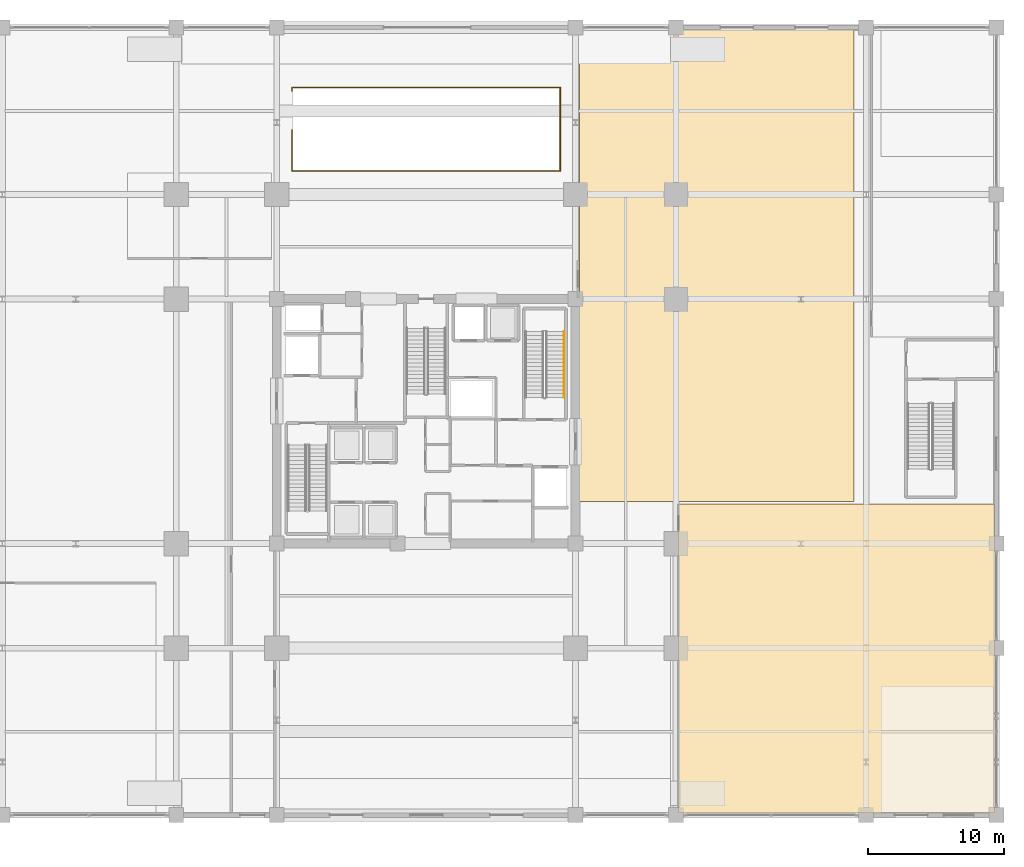
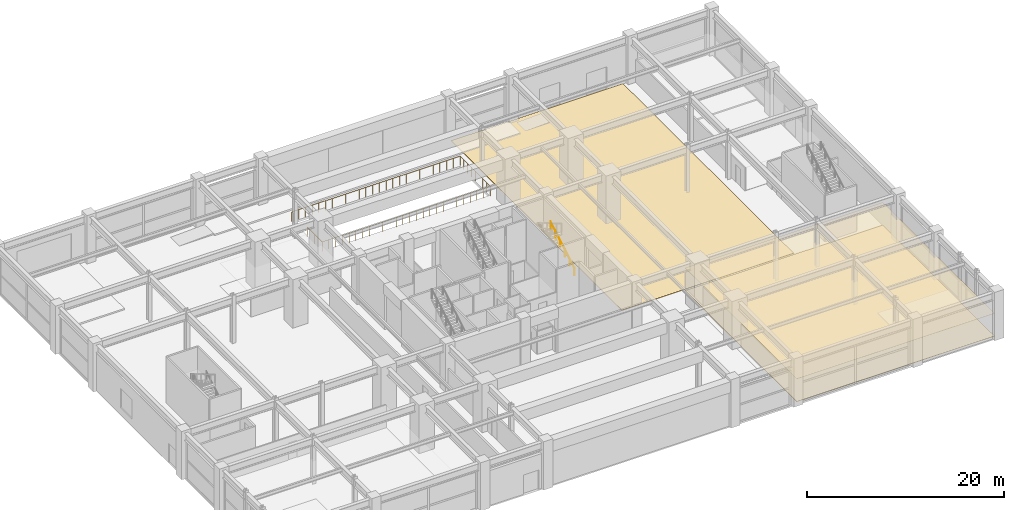
# One storey, part 39 of 41: 3 coverings, 2 railings.
"""IFC4 building model written with IfcOpenShell, lengths in metres."""

from ifc_helpers import new_model, si_unit, direction, frame, origin, origin_2d, place, context, subcontext, project, spatial, polyline, circle, outline, extrude, material, layer, layer_set, type_object, element, save


model = new_model("IFC4")

# Units and contexts
model_context = context("Model", 3, precision=1e-05, world=origin(), true_north=direction((0.0, 1.0)))
body_context = subcontext(model_context, "Body", "Model", "MODEL_VIEW")
ifc_project = project(units=[si_unit("LENGTHUNIT", "METRE"), si_unit("AREAUNIT", "SQUARE_METRE"), si_unit("VOLUMEUNIT", "CUBIC_METRE"), si_unit("PLANEANGLEUNIT", "RADIAN"), si_unit("MASSUNIT", "GRAM", prefix="KILO")], contexts=[model_context])

# Site, building, storey
site_placement = place(None, origin())
site = spatial("IfcSite", under=ifc_project, at=site_placement, CompositionType="ELEMENT")
building_placement = place(site_placement, origin())
building = spatial("IfcBuilding", under=site, at=building_placement, Name="Kovane Verandah Tower", CompositionType="ELEMENT")
storey_placement = place(building_placement, origin())
storey = spatial("IfcBuildingStorey", under=building, at=storey_placement, Name="L00", CompositionType="ELEMENT", Elevation=0.0)

# Coverings
ifc_material_1 = material(Name="Perforated Acoustic Mineral-Fibre Ceiling Tile", Category="gypsum")
ifc_layer_1 = layer(ifc_material_1, 0.02490234375)
ifc_layer_set_1 = layer_set([ifc_layer_1], Name="Perforated Acoustic Mineral-Fibre Ceiling Tile")
covering_type_1 = type_object("IfcCoveringType", Name="CV-CEIL-25", PredefinedType="CEILING", material=ifc_layer_set_1)
covering_1_placement = place(storey_placement, frame((0.0, 0.0, 2.824951171875)))
element("IfcCovering", 1, at=covering_1_placement, inside=storey, type_object=covering_type_1, Name="L00 East Garden Harbour Cafe Acoustic Ceiling", PredefinedType="CEILING", context=body_context, shape_type="SweptSolid", body=[
    extrude(outline(polyline([(58.60009765625, -1.35009765625), (81.85009765625, -1.35009765625), (81.85009765625, 21.39990234375), (58.60009765625, 21.39990234375), (58.60009765625, -1.35009765625)])), origin(), (0.0, 0.0, 1.0), 0.025146484375),
])
ifc_material_2 = material(Name="Polished Terrazzo and Raised-Access Carpet Tile Finish", Category="concrete")
ifc_layer_2 = layer(ifc_material_2, 0.030029296875)
ifc_layer_set_2 = layer_set([ifc_layer_2], Name="Polished Terrazzo and Raised-Access Carpet Tile Finish")
covering_type_2 = type_object("IfcCoveringType", Name="CV-FLOR-30", PredefinedType="FLOORING", material=ifc_layer_set_2)
covering_2_placement = place(storey_placement, origin())
element("IfcCovering", 2, at=covering_2_placement, inside=storey, type_object=covering_type_2, Name="L00 Harbourfront North Concourse Floor Finish", PredefinedType="FLOORING", context=body_context, shape_type="SweptSolid", body=[
    extrude(outline(polyline([(51.280029296875, 21.60009765625), (71.5, 21.60009765625), (71.5, 56.35009765625), (51.280029296875, 56.35009765625), (51.280029296875, 21.60009765625)])), origin(), (0.0, 0.0, 1.0), 0.030029296875),
])
covering_3_placement = place(storey_placement, origin())
element("IfcCovering", 3, at=covering_3_placement, inside=storey, type_object=covering_type_2, Name="L00 East Garden Harbour Cafe Floor Finish", PredefinedType="FLOORING", context=body_context, shape_type="SweptSolid", body=[
    extrude(outline(polyline([(58.60009765625, -1.35009765625), (81.85009765625, -1.35009765625), (81.85009765625, 21.39990234375), (58.60009765625, 21.39990234375), (58.60009765625, -1.35009765625)])), origin(), (0.0, 0.0, 1.0), 0.030029296875),
])

# Railings
ifc_material_3 = material(Name="Pale-Champagne Stainless Steel and Glass Perimeter Guard", Category="steel")
railing_type_1 = type_object("IfcRailingType", Name="RL-GDN-1200", PredefinedType="GUARDRAIL", material=ifc_material_3)
railing_1_placement = place(storey_placement, frame((30.1201171875, 48.9599609375, 0.0)))
element("IfcRailing", 4, at=railing_1_placement, inside=storey, type_object=railing_type_1, Name="L00 Vehicle Ramp Slab Opening Perimeter Guard", PredefinedType="GUARDRAIL", context=body_context, shape_type="SweptSolid", body=[
    extrude(circle(Radius=0.02392578125, at=origin_2d()), frame((0.0, 0.0, 1.17578125), z_axis=(0.0, -1.0, 0.0), x_axis=(1.0, 0.0, 0.0)), (0.0, 0.0, 1.0), 3.0400390625),
    extrude(circle(Radius=0.02392578125, at=origin_2d()), frame((0.0, -3.0400390625, 1.17578125), z_axis=(1.0, 0.0, 0.0), x_axis=(0.0, 1.0, 0.0)), (0.0, 0.0, 1.0), 19.759765625),
    extrude(circle(Radius=0.02392578125, at=origin_2d()), frame((19.759765625, -3.0400390625, 1.17578125), z_axis=(0.0, 1.0, 0.0), x_axis=(-1.0, 0.0, 0.0)), (0.0, 0.0, 1.0), 6.16015625),
    extrude(circle(Radius=0.02392578125, at=origin_2d()), frame((19.759765625, 3.1201171875, 1.17578125), z_axis=(-1.0, 0.0, 0.0), x_axis=(0.0, -1.0, 0.0)), (0.0, 0.0, 1.0), 19.759765625),
    extrude(circle(Radius=0.02392578125, at=origin_2d()), frame((0.0, 3.1201171875, 1.17578125), z_axis=(0.0, -1.0, 0.0), x_axis=(1.0, 0.0, 0.0)), (0.0, 0.0, 1.0), 0.260009765625),
    extrude(circle(Radius=0.02099609375, at=origin_2d()), origin(), (0.0, 0.0, 1.0), 1.15185546875),
    extrude(circle(Radius=0.02099609375, at=origin_2d()), frame((0.0, -0.760009765625, 0.0)), (0.0, 0.0, 1.0), 1.15185546875),
    extrude(circle(Radius=0.02099609375, at=origin_2d()), frame((0.0, -1.52001953125, 0.0)), (0.0, 0.0, 1.0), 1.15185546875),
    extrude(circle(Radius=0.02099609375, at=origin_2d()), frame((0.0, -2.280029296875, 0.0)), (0.0, 0.0, 1.0), 1.15185546875),
    extrude(circle(Radius=0.02099609375, at=origin_2d()), frame((0.0, -3.0400390625, 0.0)), (0.0, 0.0, 1.0), 1.15185546875),
    extrude(circle(Radius=0.02099609375, at=origin_2d()), frame((0.790283203125, -3.0400390625, 0.0)), (0.0, 0.0, 1.0), 1.15185546875),
    extrude(circle(Radius=0.02099609375, at=origin_2d()), frame((1.580810546875, -3.0400390625, 0.0)), (0.0, 0.0, 1.0), 1.15185546875),
    extrude(circle(Radius=0.02099609375, at=origin_2d()), frame((2.37109375, -3.0400390625, 0.0)), (0.0, 0.0, 1.0), 1.15185546875),
    extrude(circle(Radius=0.02099609375, at=origin_2d()), frame((3.16162109375, -3.0400390625, 0.0)), (0.0, 0.0, 1.0), 1.15185546875),
    extrude(circle(Radius=0.02099609375, at=origin_2d()), frame((3.951904296875, -3.0400390625, 0.0)), (0.0, 0.0, 1.0), 1.15185546875),
    extrude(circle(Radius=0.02099609375, at=origin_2d()), frame((4.742431640625, -3.0400390625, 0.0)), (0.0, 0.0, 1.0), 1.15185546875),
    extrude(circle(Radius=0.02099609375, at=origin_2d()), frame((5.53271484375, -3.0400390625, 0.0)), (0.0, 0.0, 1.0), 1.15185546875),
    extrude(circle(Radius=0.02099609375, at=origin_2d()), frame((6.3232421875, -3.0400390625, 0.0)), (0.0, 0.0, 1.0), 1.15185546875),
    extrude(circle(Radius=0.02099609375, at=origin_2d()), frame((7.113525390625, -3.0400390625, 0.0)), (0.0, 0.0, 1.0), 1.15185546875),
    extrude(circle(Radius=0.02099609375, at=origin_2d()), frame((7.90380859375, -3.0400390625, 0.0)), (0.0, 0.0, 1.0), 1.15185546875),
    extrude(circle(Radius=0.02099609375, at=origin_2d()), frame((8.6943359375, -3.0400390625, 0.0)), (0.0, 0.0, 1.0), 1.15185546875),
    extrude(circle(Radius=0.02099609375, at=origin_2d()), frame((9.484619140625, -3.0400390625, 0.0)), (0.0, 0.0, 1.0), 1.15185546875),
    extrude(circle(Radius=0.02099609375, at=origin_2d()), frame((10.275146484375, -3.0400390625, 0.0)), (0.0, 0.0, 1.0), 1.15185546875),
    extrude(circle(Radius=0.02099609375, at=origin_2d()), frame((11.0654296875, -3.0400390625, 0.0)), (0.0, 0.0, 1.0), 1.15185546875),
    extrude(circle(Radius=0.02099609375, at=origin_2d()), frame((11.85595703125, -3.0400390625, 0.0)), (0.0, 0.0, 1.0), 1.15185546875),
    extrude(circle(Radius=0.02099609375, at=origin_2d()), frame((12.646240234375, -3.0400390625, 0.0)), (0.0, 0.0, 1.0), 1.15185546875),
    extrude(circle(Radius=0.02099609375, at=origin_2d()), frame((13.4365234375, -3.0400390625, 0.0)), (0.0, 0.0, 1.0), 1.15185546875),
    extrude(circle(Radius=0.02099609375, at=origin_2d()), frame((14.22705078125, -3.0400390625, 0.0)), (0.0, 0.0, 1.0), 1.15185546875),
    extrude(circle(Radius=0.02099609375, at=origin_2d()), frame((15.017333984375, -3.0400390625, 0.0)), (0.0, 0.0, 1.0), 1.15185546875),
    extrude(circle(Radius=0.02099609375, at=origin_2d()), frame((15.807861328125, -3.0400390625, 0.0)), (0.0, 0.0, 1.0), 1.15185546875),
    extrude(circle(Radius=0.02099609375, at=origin_2d()), frame((16.59814453125, -3.0400390625, 0.0)), (0.0, 0.0, 1.0), 1.15185546875),
    extrude(circle(Radius=0.02099609375, at=origin_2d()), frame((17.388671875, -3.0400390625, 0.0)), (0.0, 0.0, 1.0), 1.15185546875),
    extrude(circle(Radius=0.02099609375, at=origin_2d()), frame((18.178955078125, -3.0400390625, 0.0)), (0.0, 0.0, 1.0), 1.15185546875),
    extrude(circle(Radius=0.02099609375, at=origin_2d()), frame((18.969482421875, -3.0400390625, 0.0)), (0.0, 0.0, 1.0), 1.15185546875),
    extrude(circle(Radius=0.02099609375, at=origin_2d()), frame((19.759765625, -3.0400390625, 0.0)), (0.0, 0.0, 1.0), 1.15185546875),
    extrude(circle(Radius=0.02099609375, at=origin_2d()), frame((19.759765625, -2.27001953125, 0.0)), (0.0, 0.0, 1.0), 1.15185546875),
    extrude(circle(Radius=0.02099609375, at=origin_2d()), frame((19.759765625, -1.5, 0.0)), (0.0, 0.0, 1.0), 1.15185546875),
    extrude(circle(Radius=0.02099609375, at=origin_2d()), frame((19.759765625, -0.72998046875, 0.0)), (0.0, 0.0, 1.0), 1.15185546875),
    extrude(circle(Radius=0.02099609375, at=origin_2d()), frame((19.759765625, 0.0400390625, 0.0)), (0.0, 0.0, 1.0), 1.15185546875),
    extrude(circle(Radius=0.02099609375, at=origin_2d()), frame((19.759765625, 0.81005859375, 0.0)), (0.0, 0.0, 1.0), 1.15185546875),
    extrude(circle(Radius=0.02099609375, at=origin_2d()), frame((19.759765625, 1.580078125, 0.0)), (0.0, 0.0, 1.0), 1.15185546875),
    extrude(circle(Radius=0.02099609375, at=origin_2d()), frame((19.759765625, 2.35009765625, 0.0)), (0.0, 0.0, 1.0), 1.15185546875),
    extrude(circle(Radius=0.02099609375, at=origin_2d()), frame((19.759765625, 3.1201171875, 0.0)), (0.0, 0.0, 1.0), 1.15185546875),
    extrude(circle(Radius=0.02099609375, at=origin_2d()), frame((18.969482421875, 3.1201171875, 0.0)), (0.0, 0.0, 1.0), 1.15185546875),
    extrude(circle(Radius=0.02099609375, at=origin_2d()), frame((18.178955078125, 3.1201171875, 0.0)), (0.0, 0.0, 1.0), 1.15185546875),
    extrude(circle(Radius=0.02099609375, at=origin_2d()), frame((17.388671875, 3.1201171875, 0.0)), (0.0, 0.0, 1.0), 1.15185546875),
    extrude(circle(Radius=0.02099609375, at=origin_2d()), frame((16.59814453125, 3.1201171875, 0.0)), (0.0, 0.0, 1.0), 1.15185546875),
    extrude(circle(Radius=0.02099609375, at=origin_2d()), frame((15.807861328125, 3.1201171875, 0.0)), (0.0, 0.0, 1.0), 1.15185546875),
    extrude(circle(Radius=0.02099609375, at=origin_2d()), frame((15.017333984375, 3.1201171875, 0.0)), (0.0, 0.0, 1.0), 1.15185546875),
    extrude(circle(Radius=0.02099609375, at=origin_2d()), frame((14.22705078125, 3.1201171875, 0.0)), (0.0, 0.0, 1.0), 1.15185546875),
    extrude(circle(Radius=0.02099609375, at=origin_2d()), frame((13.4365234375, 3.1201171875, 0.0)), (0.0, 0.0, 1.0), 1.15185546875),
    extrude(circle(Radius=0.02099609375, at=origin_2d()), frame((12.646240234375, 3.1201171875, 0.0)), (0.0, 0.0, 1.0), 1.15185546875),
    extrude(circle(Radius=0.02099609375, at=origin_2d()), frame((11.85595703125, 3.1201171875, 0.0)), (0.0, 0.0, 1.0), 1.15185546875),
    extrude(circle(Radius=0.02099609375, at=origin_2d()), frame((11.0654296875, 3.1201171875, 0.0)), (0.0, 0.0, 1.0), 1.15185546875),
    extrude(circle(Radius=0.02099609375, at=origin_2d()), frame((10.275146484375, 3.1201171875, 0.0)), (0.0, 0.0, 1.0), 1.15185546875),
    extrude(circle(Radius=0.02099609375, at=origin_2d()), frame((9.484619140625, 3.1201171875, 0.0)), (0.0, 0.0, 1.0), 1.15185546875),
    extrude(circle(Radius=0.02099609375, at=origin_2d()), frame((8.6943359375, 3.1201171875, 0.0)), (0.0, 0.0, 1.0), 1.15185546875),
    extrude(circle(Radius=0.02099609375, at=origin_2d()), frame((7.90380859375, 3.1201171875, 0.0)), (0.0, 0.0, 1.0), 1.15185546875),
    extrude(circle(Radius=0.02099609375, at=origin_2d()), frame((7.113525390625, 3.1201171875, 0.0)), (0.0, 0.0, 1.0), 1.15185546875),
    extrude(circle(Radius=0.02099609375, at=origin_2d()), frame((6.3232421875, 3.1201171875, 0.0)), (0.0, 0.0, 1.0), 1.15185546875),
    extrude(circle(Radius=0.02099609375, at=origin_2d()), frame((5.53271484375, 3.1201171875, 0.0)), (0.0, 0.0, 1.0), 1.15185546875),
    extrude(circle(Radius=0.02099609375, at=origin_2d()), frame((4.742431640625, 3.1201171875, 0.0)), (0.0, 0.0, 1.0), 1.15185546875),
    extrude(circle(Radius=0.02099609375, at=origin_2d()), frame((3.951904296875, 3.1201171875, 0.0)), (0.0, 0.0, 1.0), 1.15185546875),
    extrude(circle(Radius=0.02099609375, at=origin_2d()), frame((3.16162109375, 3.1201171875, 0.0)), (0.0, 0.0, 1.0), 1.15185546875),
    extrude(circle(Radius=0.02099609375, at=origin_2d()), frame((2.37109375, 3.1201171875, 0.0)), (0.0, 0.0, 1.0), 1.15185546875),
    extrude(circle(Radius=0.02099609375, at=origin_2d()), frame((1.580810546875, 3.1201171875, 0.0)), (0.0, 0.0, 1.0), 1.15185546875),
    extrude(circle(Radius=0.02099609375, at=origin_2d()), frame((0.790283203125, 3.1201171875, 0.0)), (0.0, 0.0, 1.0), 1.15185546875),
    extrude(circle(Radius=0.02099609375, at=origin_2d()), frame((0.0, 3.1201171875, 0.0)), (0.0, 0.0, 1.0), 1.15185546875),
    extrude(circle(Radius=0.02099609375, at=origin_2d()), frame((0.0, 2.860107421875, 0.0)), (0.0, 0.0, 1.0), 1.15185546875),
])
ifc_material_4 = material(Name="Brushed Stainless Steel Handrail", Category="steel")
railing_type_2 = type_object("IfcRailingType", Name="RL-HAND-920", PredefinedType="HANDRAIL", material=ifc_material_4)
railing_2_placement = place(storey_placement, frame((50.14990234375, 29.25, 0.166748046875)))
element("IfcRailing", 5, at=railing_2_placement, inside=storey, type_object=railing_type_2, Name="L00 ST-02 stair handrail 1", PredefinedType="HANDRAIL", context=body_context, shape_type="SweptSolid", body=[
    extrude(circle(Radius=0.02392578125, at=origin_2d()), frame((0.0, 0.0, 0.8759765625), z_axis=(0.0, 0.863234098208, 0.504803815052), x_axis=(-1.0, 0.0, 0.0)), (0.0, 0.0, 1.0), 5.612548828125),
    extrude(circle(Radius=0.02099609375, at=origin_2d()), origin(), (0.0, 0.0, 1.0), 0.851806640625),
    extrude(circle(Radius=0.02099609375, at=origin_2d()), frame((0.0, 0.968994140625, 0.566650390625)), (0.0, 0.0, 1.0), 0.851806640625),
    extrude(circle(Radius=0.02099609375, at=origin_2d()), frame((0.0, 1.93798828125, 1.13330078125)), (0.0, 0.0, 1.0), 0.851806640625),
    extrude(circle(Radius=0.02099609375, at=origin_2d()), frame((0.0, 2.906982421875, 1.699951171875)), (0.0, 0.0, 1.0), 0.851806640625),
    extrude(circle(Radius=0.02099609375, at=origin_2d()), frame((0.0, 3.8759765625, 2.2666015625)), (0.0, 0.0, 1.0), 0.851806640625),
    extrude(circle(Radius=0.02099609375, at=origin_2d()), frame((0.0, 4.844970703125, 2.833251953125)), (0.0, 0.0, 1.0), 0.851806640625),
])

save(model, "model.ifc")
